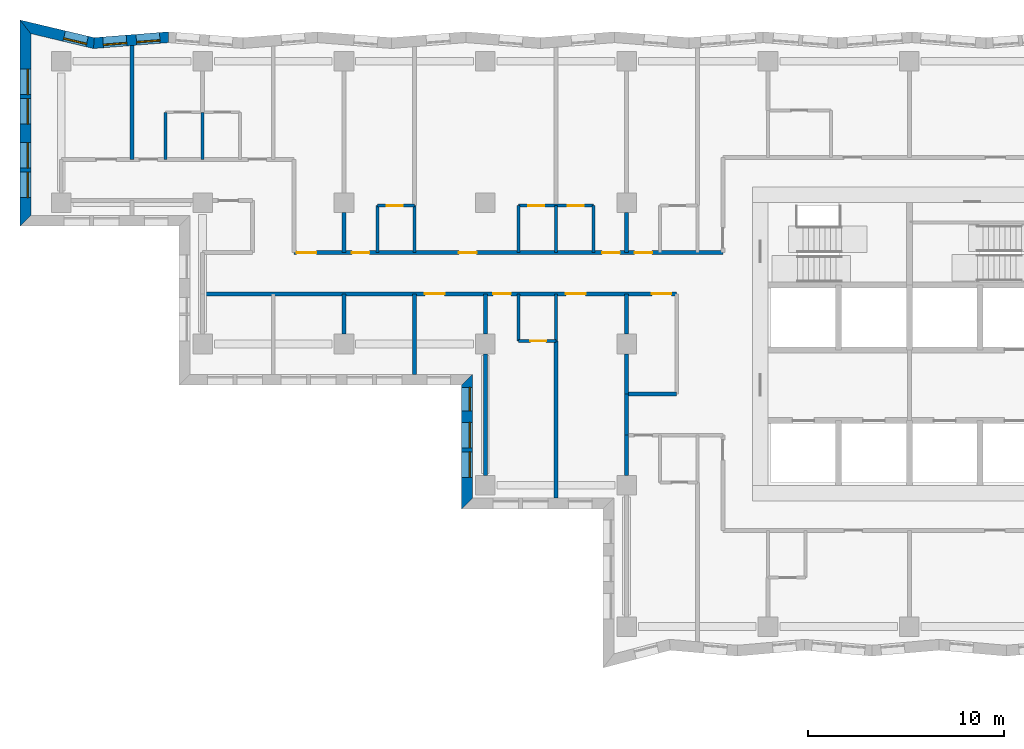
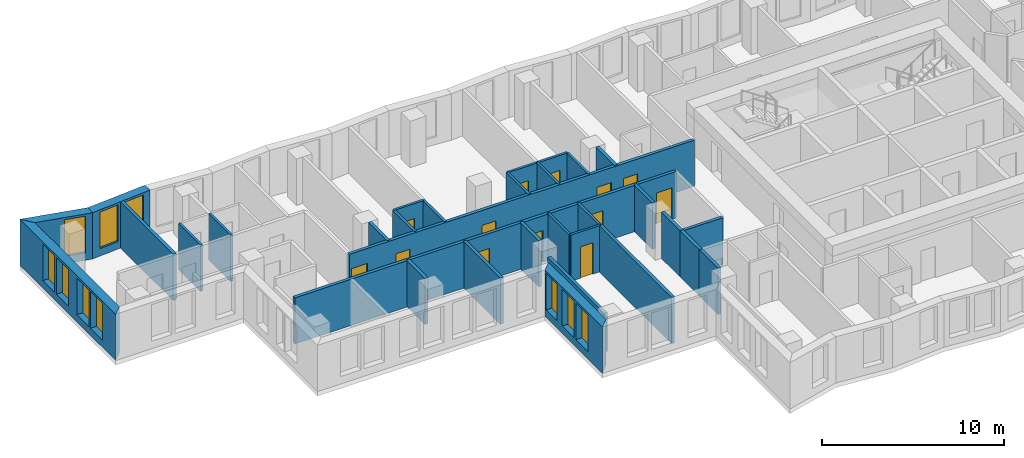
# One storey, part 4 of 12: 31 walls, 13 doors, 10 windows, 23 openings.
"""IFC4 building model written with IfcOpenShell, lengths in metres."""

import ifcopenshell
import ifcopenshell.guid

model = None  # the IFC model being written
_history = None  # IfcOwnerHistory: only IFC2X3 demands one
_inside = {}  # id of a spatial element -> (the spatial element, [elements in it])
_under = {}  # id of a project, library or spatial element -> (it, [spatial elements below it])
_declared = {}  # id of a project -> (the project, [libraries it declares])
_typed = {}  # id of a type object -> (the type object, [elements of that type])
_made_of = {}  # id of a material, layer set ... -> (it, [elements and type objects made of it])


def new_model(schema):
    """Start an empty IFC model of exactly this schema.

    Asked for "IFC4X3", IfcOpenShell would pick the latest addendum, in which some entities
    have other attributes; the version numbers below select the first issue.
    IFC2X3 requires an IfcOwnerHistory on every rooted entity: one is made here for all.
    """
    global model, _history
    if schema == "IFC4X3":
        model = ifcopenshell.file(schema_version=(4, 3, 0, 0))
    else:
        model = ifcopenshell.file(schema=schema)
    _inside.clear()
    _under.clear()
    _declared.clear()
    _typed.clear()
    _made_of.clear()
    _history = None
    if model.schema == "IFC2X3":
        org = make("IfcOrganization", Name="unknown")
        user = make(
            "IfcPersonAndOrganization",
            ThePerson=make("IfcPerson", FamilyName="unknown"),
            TheOrganization=org,
        )
        app = make(
            "IfcApplication",
            ApplicationDeveloper=org,
            Version="unknown",
            ApplicationFullName="unknown",
            ApplicationIdentifier="unknown",
        )
        _history = make(
            "IfcOwnerHistory",
            OwningUser=user,
            OwningApplication=app,
            ChangeAction="ADDED",
            CreationDate=0,
        )
    return model


def make(cls, **values):
    """One entity of the class cls with the attributes given. An attribute that is None is left unset."""
    return model.create_entity(
        cls, **{name: value for name, value in values.items() if value is not None}
    )


def rooted(cls, **values):
    """An entity with a GlobalId (a new one), such as an element, a storey or a relation."""
    return make(cls, GlobalId=ifcopenshell.guid.new(), OwnerHistory=_history, **values)


def si_unit(unit_type, name, prefix=None):
    """IfcSIUnit, for example si_unit("LENGTHUNIT", "METRE", prefix="MILLI")."""
    return make("IfcSIUnit", UnitType=unit_type, Prefix=prefix, Name=name)


def assignment(units):
    """IfcUnitAssignment: the units of a project."""
    return None if units is None else make("IfcUnitAssignment", Units=units)


def point(xyz):
    """IfcCartesianPoint."""
    return None if xyz is None else make("IfcCartesianPoint", Coordinates=xyz)


def direction(xyz):
    """IfcDirection."""
    return None if xyz is None else make("IfcDirection", DirectionRatios=xyz)


def frame(location, z_axis=None, x_axis=None):
    """IfcAxis2Placement3D, a coordinate frame: its origin and axes. An axis left out is left unset."""
    return make(
        "IfcAxis2Placement3D",
        Location=point(location),
        Axis=direction(z_axis),
        RefDirection=direction(x_axis),
    )


def frame_2d(location, x_axis=None):
    """IfcAxis2Placement2D, a coordinate frame in the plane: its origin and x axis."""
    return make(
        "IfcAxis2Placement2D", Location=point(location), RefDirection=direction(x_axis)
    )


def origin():
    """The frame at (0, 0, 0) with its axes left unset."""
    return frame((0.0, 0.0, 0.0))


def place(relative_to, where):
    """IfcLocalPlacement: puts the frame where relative to a parent placement (None: the world)."""
    return make(
        "IfcLocalPlacement", PlacementRelTo=relative_to, RelativePlacement=where
    )


def context(
    kind, dimensions, precision=None, world=None, true_north=None, identifier=None
):
    """IfcGeometricRepresentationContext, for example the 3D "Model" context."""
    return make(
        "IfcGeometricRepresentationContext",
        ContextIdentifier=identifier,
        ContextType=kind,
        CoordinateSpaceDimension=dimensions,
        Precision=precision,
        WorldCoordinateSystem=world,
        TrueNorth=true_north,
    )


def subcontext(parent, identifier, kind, view, scale=None):
    """IfcGeometricRepresentationSubContext, for example "Body" below "Model"."""
    return make(
        "IfcGeometricRepresentationSubContext",
        ContextIdentifier=identifier,
        ContextType=kind,
        ParentContext=parent,
        TargetScale=scale,
        TargetView=view,
    )


def project(units=None, contexts=None):
    """IfcProject with its units and contexts."""
    return rooted(
        "IfcProject",
        Name="project",
        RepresentationContexts=contexts,
        UnitsInContext=assignment(units),
    )


def spatial(cls, under=None, at=None, **own):
    """A site, building, storey or space (cls), placed at a placement, below another one or the project."""
    s = rooted(cls, ObjectPlacement=at, **own)
    if under is not None:
        _under.setdefault(under.id(), (under, []))[1].append(s)
    return s


def polyline(points):
    """IfcPolyline through the points."""
    return make("IfcPolyline", Points=[point(p) for p in points])


def profile(cls, at=None, kind="AREA", **sizes):
    """A parametric profile (cls). Its sizes go by their IFC names, for example OverallWidth=200.0."""
    return make(cls, ProfileType=kind, Position=at, **sizes)


def rectangle(**sizes):
    """IfcRectangleProfileDef."""
    return profile("IfcRectangleProfileDef", **sizes)


def outline(outer, holes=None, kind="AREA"):
    """IfcArbitraryClosedProfileDef: a profile drawn as a closed curve; with holes, ...WithVoids."""
    if holes is None:
        return make("IfcArbitraryClosedProfileDef", ProfileType=kind, OuterCurve=outer)
    return make(
        "IfcArbitraryProfileDefWithVoids",
        ProfileType=kind,
        OuterCurve=outer,
        InnerCurves=holes,
    )


def extrude(swept, where, along, depth):
    """IfcExtrudedAreaSolid: the profile swept, set in the frame where, extruded along a direction by depth."""
    return make(
        "IfcExtrudedAreaSolid",
        SweptArea=swept,
        Position=where,
        ExtrudedDirection=direction(along),
        Depth=depth,
    )


def shape(context_of_items, identifier, shape_type, items):
    """IfcShapeRepresentation: the items that make up one representation, for example the "Body"."""
    return make(
        "IfcShapeRepresentation",
        ContextOfItems=context_of_items,
        RepresentationIdentifier=identifier,
        RepresentationType=shape_type,
        Items=items,
    )


def material(Name=None, Category=None):
    """IfcMaterial."""
    return make("IfcMaterial", Name=Name, Category=Category)


def layer(
    of_material, thickness, ventilated=None, Name=None, Category=None, Priority=None
):
    """IfcMaterialLayer: one layer of a wall or slab, of a material (None: an air gap)."""
    return make(
        "IfcMaterialLayer",
        Material=of_material,
        LayerThickness=thickness,
        IsVentilated=ventilated,
        Name=Name,
        Category=Category,
        Priority=Priority,
    )


def layer_set(layers, Name=None):
    """IfcMaterialLayerSet."""
    return make("IfcMaterialLayerSet", MaterialLayers=layers, LayerSetName=Name)


def made_of(thing, what):
    """Note that an element or type object is made of a material, layer set ...; save() writes the relation."""
    if what is not None:
        _made_of.setdefault(what.id(), (what, []))[1].append(thing)
    return thing


def type_object(cls, material=None, **own):
    """A type object (cls), such as IfcWallType, which elements share."""
    return made_of(rooted(cls, **own), material)


def element(
    cls,
    number,
    at=None,
    inside=None,
    cuts=None,
    type_object=None,
    material=None,
    context=None,
    identifier="Body",
    shape_type=None,
    held_by="IfcProductDefinitionShape",
    body=None,
    shapes=None,
    **own,
):
    """One element of the class cls, such as IfcWall. Its Tag is "e" and its number.

    at: its placement. inside: the storey or other place that contains it. cuts: it is an
    opening in that element (IfcRelVoidsElement). A single representation is given by context,
    identifier, shape_type and body (its items); several are given by shapes. held_by: the class
    of the entity that holds the representations. save() writes the other relations.
    """
    e = rooted(cls, Tag="e%d" % number, ObjectPlacement=at, **own)
    if body is not None:
        shapes = [shape(context, identifier, shape_type, body)]
    if shapes is not None:
        e.Representation = make(held_by, Representations=shapes)
    if inside is not None:
        _inside.setdefault(inside.id(), (inside, []))[1].append(e)
    if cuts is not None:
        rooted(
            "IfcRelVoidsElement", RelatingBuildingElement=cuts, RelatedOpeningElement=e
        )
    if type_object is not None:
        _typed.setdefault(type_object.id(), (type_object, []))[1].append(e)
    return made_of(e, material)


def fill(opening, filler):
    """IfcRelFillsElement: the door or window that sits in an opening."""
    return rooted(
        "IfcRelFillsElement",
        RelatingOpeningElement=opening,
        RelatedBuildingElement=filler,
    )


def aggregate(whole, parts):
    """IfcRelAggregates: a whole, such as a stair, and the parts it consists of."""
    return rooted("IfcRelAggregates", RelatingObject=whole, RelatedObjects=parts)


def save(model, path):
    """Write the relations noted so far, then the file.

    IfcRelAggregates (storeys below a building ...), IfcRelContainedInSpatialStructure (elements
    in a storey), IfcRelDefinesByType, IfcRelAssociatesMaterial and IfcRelDeclares: one each for
    every whole, place, type object, material and project.
    """
    for whole, parts in _under.values():
        aggregate(whole, parts)
    for where, things in _inside.values():
        rooted(
            "IfcRelContainedInSpatialStructure",
            RelatedElements=things,
            RelatingStructure=where,
        )
    for kind, things in _typed.values():
        rooted("IfcRelDefinesByType", RelatedObjects=things, RelatingType=kind)
    for what, things in _made_of.values():
        rooted("IfcRelAssociatesMaterial", RelatedObjects=things, RelatingMaterial=what)
    for by, libraries in _declared.values():
        rooted("IfcRelDeclares", RelatingContext=by, RelatedDefinitions=libraries)
    model.write(path)


model = new_model("IFC4")

# Units and contexts
model_context = context("Model", 3, precision=1e-05, world=origin(), true_north=direction((0.0, 1.0)))
body_context = subcontext(model_context, "Body", "Model", "MODEL_VIEW")
ifc_project = project(units=[si_unit("LENGTHUNIT", "METRE"), si_unit("AREAUNIT", "SQUARE_METRE"), si_unit("VOLUMEUNIT", "CUBIC_METRE"), si_unit("PLANEANGLEUNIT", "RADIAN"), si_unit("MASSUNIT", "GRAM", prefix="KILO")], contexts=[model_context])

# Site, building, storey
site_placement = place(None, origin())
site = spatial("IfcSite", under=ifc_project, at=site_placement, CompositionType="ELEMENT")
building_placement = place(site_placement, origin())
building = spatial("IfcBuilding", under=site, at=building_placement, Name="Windrow Commons", CompositionType="ELEMENT")
storey_placement = place(building_placement, frame((0.0, 0.0, 81.2)))
storey = spatial("IfcBuildingStorey", under=building, at=storey_placement, Name="L21", CompositionType="ELEMENT", Elevation=81.2)

# Wall, openings, windows
ifc_material_1 = material(Name="Brick masonry, red clay brick", Category="masonry")
ifc_layer_1 = layer(ifc_material_1, 0.55)
ifc_layer_set_1 = layer_set([ifc_layer_1], Name="Brick facade wall 550")
wall_type_1 = type_object("IfcWallType", Name="Brick facade wall 550", PredefinedType="SOLIDWALL", material=ifc_layer_set_1)
wall_1_placement = place(storey_placement, frame((27.0712, 73.2241, 0.0), z_axis=(0.0, 0.0, 1.0), x_axis=(-0.9968745318, -0.0790010628, 0.0)))
wall_1 = element("IfcWall", 1, at=wall_1_placement, inside=storey, type_object=wall_type_1, Name="Brick facade wall L21 35", PredefinedType="SOLIDWALL", context=body_context, shape_type="SweptSolid", body=[
    extrude(outline(polyline([(-0.0218, -0.275), (3.7757, -0.275), (3.8623, 0.275), (0.0218, 0.275), (-0.0218, -0.275)])), origin(), (0.0, 0.0, 1.0), 3.1),
])
opening_1_placement = place(wall_1_placement, frame((0.4494, 0.0, 0.5)))
opening_1 = element("IfcOpeningElement", 2, at=opening_1_placement, cuts=wall_1, Name="Opening W7D", PredefinedType="OPENING", context=body_context, shape_type="SweptSolid", body=[
    extrude(rectangle(XDim=1.2, YDim=2.45, at=frame_2d((0.6, 1.225))), frame((0.0, 0.285, 0.0), z_axis=(0.0, -1.0, 0.0), x_axis=(1.0, 0.0, 0.0)), (0.0, 0.0, 1.0), 0.57),
])
opening_2_placement = place(wall_1_placement, frame((2.1481, 0.0, 0.5)))
opening_2 = element("IfcOpeningElement", 3, at=opening_2_placement, cuts=wall_1, Name="Opening W7D", PredefinedType="OPENING", context=body_context, shape_type="SweptSolid", body=[
    extrude(rectangle(XDim=1.2, YDim=2.45, at=frame_2d((0.6, 1.225))), frame((0.0, 0.285, 0.0), z_axis=(0.0, -1.0, 0.0), x_axis=(1.0, 0.0, 0.0)), (0.0, 0.0, 1.0), 0.57),
])
ifc_material_2 = material(Name="Clear float glass in anodised aluminium frame", Category="aluminium")
window_type_1 = type_object("IfcWindowType", Name="Window W7 notch 1200x2450", PartitioningType="SINGLE_PANEL", PredefinedType="WINDOW", material=ifc_material_2)
window_1_placement = place(opening_1_placement, origin())
window_1 = element("IfcWindow", 4, at=window_1_placement, inside=storey, type_object=window_type_1, Name="Window L21 35.1", OverallHeight=2.45, OverallWidth=1.2, PartitioningType="SINGLE_PANEL", PredefinedType="WINDOW", context=body_context, shape_type="SweptSolid", body=[
    extrude(rectangle(XDim=1.2, YDim=2.45, at=frame_2d((0.6, 1.225))), frame((0.0, 0.155, 0.0), z_axis=(0.0, -1.0, 0.0), x_axis=(1.0, 0.0, 0.0)), (0.0, 0.0, 1.0), 0.06),
])
fill(opening_1, window_1)
window_2_placement = place(opening_2_placement, origin())
window_2 = element("IfcWindow", 5, at=window_2_placement, inside=storey, type_object=window_type_1, Name="Window L21 35.2", OverallHeight=2.45, OverallWidth=1.2, PartitioningType="SINGLE_PANEL", PredefinedType="WINDOW", context=body_context, shape_type="SweptSolid", body=[
    extrude(rectangle(XDim=1.2, YDim=2.45, at=frame_2d((0.6, 1.225))), frame((0.0, 0.155, 0.0), z_axis=(0.0, -1.0, 0.0), x_axis=(1.0, 0.0, 0.0)), (0.0, 0.0, 1.0), 0.06),
])
fill(opening_2, window_2)

# Wall, opening, window
wall_2_placement = place(storey_placement, frame((23.2642, 72.9224, 0.0), z_axis=(0.0, 0.0, 1.0), x_axis=(-0.9728791637, 0.231313927, 0.0)))
wall_2 = element("IfcWall", 6, at=wall_2_placement, inside=storey, type_object=wall_type_1, Name="Brick facade wall L21 36", PredefinedType="SOLIDWALL", context=body_context, shape_type="SweptSolid", body=[
    extrude(outline(polyline([(0.0433, -0.275), (3.9345, -0.275), (3.2384, 0.275), (-0.0433, 0.275), (0.0433, -0.275)])), origin(), (0.0, 0.0, 1.0), 3.1),
])
opening_3_placement = place(wall_2_placement, frame((0.3553, 0.0, 0.5)))
opening_3 = element("IfcOpeningElement", 7, at=opening_3_placement, cuts=wall_2, Name="Opening W7D", PredefinedType="OPENING", context=body_context, shape_type="SweptSolid", body=[
    extrude(rectangle(XDim=1.2, YDim=2.45, at=frame_2d((0.6, 1.225))), frame((0.0, 0.285, 0.0), z_axis=(0.0, -1.0, 0.0), x_axis=(1.0, 0.0, 0.0)), (0.0, 0.0, 1.0), 0.57),
])
window_3_placement = place(opening_3_placement, origin())
window_3 = element("IfcWindow", 8, at=window_3_placement, inside=storey, type_object=window_type_1, Name="Window L21 36.1", OverallHeight=2.45, OverallWidth=1.2, PartitioningType="SINGLE_PANEL", PredefinedType="WINDOW", context=body_context, shape_type="SweptSolid", body=[
    extrude(rectangle(XDim=1.2, YDim=2.45, at=frame_2d((0.6, 1.225))), frame((0.0, 0.155, 0.0), z_axis=(0.0, -1.0, 0.0), x_axis=(1.0, 0.0, 0.0)), (0.0, 0.0, 1.0), 0.06),
])
fill(opening_3, window_3)

# Wall, openings, windows
wall_3_placement = place(storey_placement, frame((19.775, 73.752, 0.0), z_axis=(0.0, 0.0, 1.0), x_axis=(0.0, -1.0, 0.0)))
wall_3 = element("IfcWall", 9, at=wall_3_placement, inside=storey, type_object=wall_type_1, Name="Brick facade wall L21 37", PredefinedType="SOLIDWALL", context=body_context, shape_type="SweptSolid", body=[
    extrude(outline(polyline([(-0.348, -0.275), (10.152, -0.275), (9.602, 0.275), (0.348, 0.275), (-0.348, -0.275)])), origin(), (0.0, 0.0, 1.0), 3.1),
])
opening_4_placement = place(wall_3_placement, frame((2.152, 0.0, 0.5)))
opening_4 = element("IfcOpeningElement", 10, at=opening_4_placement, cuts=wall_3, Name="Opening W1P", PredefinedType="OPENING", context=body_context, shape_type="SweptSolid", body=[
    extrude(rectangle(XDim=1.3, YDim=2.45, at=frame_2d((0.65, 1.225))), frame((0.0, 0.285, 0.0), z_axis=(0.0, -1.0, 0.0), x_axis=(1.0, 0.0, 0.0)), (0.0, 0.0, 1.0), 0.57),
])
opening_5_placement = place(wall_3_placement, frame((3.652, 0.0, 0.5)))
opening_5 = element("IfcOpeningElement", 11, at=opening_5_placement, cuts=wall_3, Name="Opening W1P", PredefinedType="OPENING", context=body_context, shape_type="SweptSolid", body=[
    extrude(rectangle(XDim=1.3, YDim=2.45, at=frame_2d((0.65, 1.225))), frame((0.0, 0.285, 0.0), z_axis=(0.0, -1.0, 0.0), x_axis=(1.0, 0.0, 0.0)), (0.0, 0.0, 1.0), 0.57),
])
opening_6_placement = place(wall_3_placement, frame((5.902, 0.0, 0.5)))
opening_6 = element("IfcOpeningElement", 12, at=opening_6_placement, cuts=wall_3, Name="Opening W1P", PredefinedType="OPENING", context=body_context, shape_type="SweptSolid", body=[
    extrude(rectangle(XDim=1.3, YDim=2.45, at=frame_2d((0.65, 1.225))), frame((0.0, 0.285, 0.0), z_axis=(0.0, -1.0, 0.0), x_axis=(1.0, 0.0, 0.0)), (0.0, 0.0, 1.0), 0.57),
])
opening_7_placement = place(wall_3_placement, frame((7.402, 0.0, 0.5)))
opening_7 = element("IfcOpeningElement", 13, at=opening_7_placement, cuts=wall_3, Name="Opening W1P", PredefinedType="OPENING", context=body_context, shape_type="SweptSolid", body=[
    extrude(rectangle(XDim=1.3, YDim=2.45, at=frame_2d((0.65, 1.225))), frame((0.0, 0.285, 0.0), z_axis=(0.0, -1.0, 0.0), x_axis=(1.0, 0.0, 0.0)), (0.0, 0.0, 1.0), 0.57),
])
ifc_material_3 = material(Name="Clear float glass in anodised aluminium frame", Category="aluminium")
window_type_2 = type_object("IfcWindowType", Name="Window W1P pair 1300x2450", PartitioningType="SINGLE_PANEL", PredefinedType="WINDOW", material=ifc_material_3)
window_4_placement = place(opening_4_placement, origin())
window_4 = element("IfcWindow", 14, at=window_4_placement, inside=storey, type_object=window_type_2, Name="Window L21 37.1A", OverallHeight=2.45, OverallWidth=1.3, PartitioningType="SINGLE_PANEL", PredefinedType="WINDOW", context=body_context, shape_type="SweptSolid", body=[
    extrude(rectangle(XDim=1.3, YDim=2.45, at=frame_2d((0.65, 1.225))), frame((0.0, 0.155, 0.0), z_axis=(0.0, -1.0, 0.0), x_axis=(1.0, 0.0, 0.0)), (0.0, 0.0, 1.0), 0.06),
])
fill(opening_4, window_4)
window_5_placement = place(opening_5_placement, origin())
window_5 = element("IfcWindow", 15, at=window_5_placement, inside=storey, type_object=window_type_2, Name="Window L21 37.1B", OverallHeight=2.45, OverallWidth=1.3, PartitioningType="SINGLE_PANEL", PredefinedType="WINDOW", context=body_context, shape_type="SweptSolid", body=[
    extrude(rectangle(XDim=1.3, YDim=2.45, at=frame_2d((0.65, 1.225))), frame((0.0, 0.155, 0.0), z_axis=(0.0, -1.0, 0.0), x_axis=(1.0, 0.0, 0.0)), (0.0, 0.0, 1.0), 0.06),
])
fill(opening_5, window_5)
window_6_placement = place(opening_6_placement, origin())
window_6 = element("IfcWindow", 16, at=window_6_placement, inside=storey, type_object=window_type_2, Name="Window L21 37.2A", OverallHeight=2.45, OverallWidth=1.3, PartitioningType="SINGLE_PANEL", PredefinedType="WINDOW", context=body_context, shape_type="SweptSolid", body=[
    extrude(rectangle(XDim=1.3, YDim=2.45, at=frame_2d((0.65, 1.225))), frame((0.0, 0.155, 0.0), z_axis=(0.0, -1.0, 0.0), x_axis=(1.0, 0.0, 0.0)), (0.0, 0.0, 1.0), 0.06),
])
fill(opening_6, window_6)
window_7_placement = place(opening_7_placement, origin())
window_7 = element("IfcWindow", 17, at=window_7_placement, inside=storey, type_object=window_type_2, Name="Window L21 37.2B", OverallHeight=2.45, OverallWidth=1.3, PartitioningType="SINGLE_PANEL", PredefinedType="WINDOW", context=body_context, shape_type="SweptSolid", body=[
    extrude(rectangle(XDim=1.3, YDim=2.45, at=frame_2d((0.65, 1.225))), frame((0.0, 0.155, 0.0), z_axis=(0.0, -1.0, 0.0), x_axis=(1.0, 0.0, 0.0)), (0.0, 0.0, 1.0), 0.06),
])
fill(opening_7, window_7)

wall_4_placement = place(storey_placement, frame((42.275, 55.775, 0.0), z_axis=(0.0, 0.0, 1.0), x_axis=(0.0, -1.0, 0.0)))
wall_4 = element("IfcWall", 18, at=wall_4_placement, inside=storey, type_object=wall_type_1, Name="Brick facade wall L21 41", PredefinedType="SOLIDWALL", context=body_context, shape_type="SweptSolid", body=[
    extrude(outline(polyline([(0.275, -0.275), (6.575, -0.275), (6.025, 0.275), (-0.275, 0.275), (0.275, -0.275)])), origin(), (0.0, 0.0, 1.0), 3.1),
])
opening_8_placement = place(wall_4_placement, frame((2.175, 0.0, 0.5)))
opening_8 = element("IfcOpeningElement", 19, at=opening_8_placement, cuts=wall_4, Name="Opening W1P", PredefinedType="OPENING", context=body_context, shape_type="SweptSolid", body=[
    extrude(rectangle(XDim=1.3, YDim=2.45, at=frame_2d((0.65, 1.225))), frame((0.0, 0.285, 0.0), z_axis=(0.0, -1.0, 0.0), x_axis=(1.0, 0.0, 0.0)), (0.0, 0.0, 1.0), 0.57),
])
opening_9_placement = place(wall_4_placement, frame((3.675, 0.0, 0.5)))
opening_9 = element("IfcOpeningElement", 20, at=opening_9_placement, cuts=wall_4, Name="Opening W1P", PredefinedType="OPENING", context=body_context, shape_type="SweptSolid", body=[
    extrude(rectangle(XDim=1.3, YDim=2.45, at=frame_2d((0.65, 1.225))), frame((0.0, 0.285, 0.0), z_axis=(0.0, -1.0, 0.0), x_axis=(1.0, 0.0, 0.0)), (0.0, 0.0, 1.0), 0.57),
])
opening_10_placement = place(wall_4_placement, frame((0.3875, 0.0, 0.5)))
opening_10 = element("IfcOpeningElement", 21, at=opening_10_placement, cuts=wall_4, Name="Opening W7D", PredefinedType="OPENING", context=body_context, shape_type="SweptSolid", body=[
    extrude(rectangle(XDim=1.2, YDim=2.45, at=frame_2d((0.6, 1.225))), frame((0.0, 0.285, 0.0), z_axis=(0.0, -1.0, 0.0), x_axis=(1.0, 0.0, 0.0)), (0.0, 0.0, 1.0), 0.57),
])
window_8_placement = place(opening_8_placement, origin())
window_8 = element("IfcWindow", 22, at=window_8_placement, inside=storey, type_object=window_type_2, Name="Window L21 41.1A", OverallHeight=2.45, OverallWidth=1.3, PartitioningType="SINGLE_PANEL", PredefinedType="WINDOW", context=body_context, shape_type="SweptSolid", body=[
    extrude(rectangle(XDim=1.3, YDim=2.45, at=frame_2d((0.65, 1.225))), frame((0.0, 0.155, 0.0), z_axis=(0.0, -1.0, 0.0), x_axis=(1.0, 0.0, 0.0)), (0.0, 0.0, 1.0), 0.06),
])
fill(opening_8, window_8)
window_9_placement = place(opening_9_placement, origin())
window_9 = element("IfcWindow", 23, at=window_9_placement, inside=storey, type_object=window_type_2, Name="Window L21 41.1B", OverallHeight=2.45, OverallWidth=1.3, PartitioningType="SINGLE_PANEL", PredefinedType="WINDOW", context=body_context, shape_type="SweptSolid", body=[
    extrude(rectangle(XDim=1.3, YDim=2.45, at=frame_2d((0.65, 1.225))), frame((0.0, 0.155, 0.0), z_axis=(0.0, -1.0, 0.0), x_axis=(1.0, 0.0, 0.0)), (0.0, 0.0, 1.0), 0.06),
])
fill(opening_9, window_9)
window_10_placement = place(opening_10_placement, origin())
window_10 = element("IfcWindow", 24, at=window_10_placement, inside=storey, type_object=window_type_1, Name="Window L21 41.2", OverallHeight=2.45, OverallWidth=1.2, PartitioningType="SINGLE_PANEL", PredefinedType="WINDOW", context=body_context, shape_type="SweptSolid", body=[
    extrude(rectangle(XDim=1.2, YDim=2.45, at=frame_2d((0.6, 1.225))), frame((0.0, 0.155, 0.0), z_axis=(0.0, -1.0, 0.0), x_axis=(1.0, 0.0, 0.0)), (0.0, 0.0, 1.0), 0.06),
])
fill(opening_10, window_10)

# Wall, openings, doors
ifc_material_4 = material(Name="Blockwork partition", Category="masonry")
ifc_layer_2 = layer(ifc_material_4, 0.2)
ifc_layer_set_2 = layer_set([ifc_layer_2], Name="IW-CORRIDOR-200")
wall_type_2 = type_object("IfcWallType", Name="IW-CORRIDOR-200", PredefinedType="PARTITIONING", material=ifc_layer_set_2)
wall_5_placement = place(storey_placement, frame((28.8, 60.15, 0.0), z_axis=(0.0, 0.0, 1.0), x_axis=(1.0, 0.0, 0.0)))
wall_5 = element("IfcWall", 25, at=wall_5_placement, inside=storey, type_object=wall_type_2, Name="W-L21-W000", PredefinedType="PARTITIONING", context=body_context, shape_type="SweptSolid", body=[
    extrude(rectangle(XDim=24.15, YDim=0.2, at=frame_2d((12.075, 0.0))), origin(), (0.0, 0.0, 1.0), 3.1),
])
opening_11_placement = place(wall_5_placement, frame((11.325, 0.0, 0.0)))
opening_11 = element("IfcOpeningElement", 26, at=opening_11_placement, cuts=wall_5, Name="Opening D310F", PredefinedType="OPENING", context=body_context, shape_type="SweptSolid", body=[
    extrude(rectangle(XDim=1.0, YDim=2.1, at=frame_2d((0.5, 1.05))), frame((0.0, 0.11, 0.0), z_axis=(0.0, -1.0, 0.0), x_axis=(1.0, 0.0, 0.0)), (0.0, 0.0, 1.0), 0.22),
])
opening_12_placement = place(wall_5_placement, frame((14.8, 0.0, 0.0)))
opening_12 = element("IfcOpeningElement", 27, at=opening_12_placement, cuts=wall_5, Name="Opening D109S", PredefinedType="OPENING", context=body_context, shape_type="SweptSolid", body=[
    extrude(rectangle(XDim=0.9, YDim=2.1, at=frame_2d((0.45, 1.05))), frame((0.0, 0.11, 0.0), z_axis=(0.0, -1.0, 0.0), x_axis=(1.0, 0.0, 0.0)), (0.0, 0.0, 1.0), 0.22),
])
opening_13_placement = place(wall_5_placement, frame((18.5075, 0.0, 0.0)))
opening_13 = element("IfcOpeningElement", 28, at=opening_13_placement, cuts=wall_5, Name="Opening D310F", PredefinedType="OPENING", context=body_context, shape_type="SweptSolid", body=[
    extrude(rectangle(XDim=1.0, YDim=2.1, at=frame_2d((0.5, 1.05))), frame((0.0, 0.11, 0.0), z_axis=(0.0, -1.0, 0.0), x_axis=(1.0, 0.0, 0.0)), (0.0, 0.0, 1.0), 0.22),
])
opening_14_placement = place(wall_5_placement, frame((22.8824, 0.0, 0.0)))
opening_14 = element("IfcOpeningElement", 29, at=opening_14_placement, cuts=wall_5, Name="Opening D310F", PredefinedType="OPENING", context=body_context, shape_type="SweptSolid", body=[
    extrude(rectangle(XDim=1.0, YDim=2.1, at=frame_2d((0.5, 1.05))), frame((0.0, 0.11, 0.0), z_axis=(0.0, -1.0, 0.0), x_axis=(1.0, 0.0, 0.0)), (0.0, 0.0, 1.0), 0.22),
])
ifc_material_5 = material(Name="Timber door leaf", Category="wood")
door_type_1 = type_object("IfcDoorType", Name="DT-AMENITY-1000", OperationType="SINGLE_SWING_LEFT", PredefinedType="DOOR", material=ifc_material_5)
door_1_placement = place(opening_11_placement, origin())
door_1 = element("IfcDoor", 30, at=door_1_placement, inside=storey, type_object=door_type_1, Name="D-L21-D025", OperationType="SINGLE_SWING_RIGHT", OverallHeight=2.1, OverallWidth=1.0, PredefinedType="DOOR", context=body_context, shape_type="SweptSolid", body=[
    extrude(rectangle(XDim=1.0, YDim=2.1, at=frame_2d((0.5, 1.05))), frame((0.0, 0.025, 0.0), z_axis=(0.0, -1.0, 0.0), x_axis=(1.0, 0.0, 0.0)), (0.0, 0.0, 1.0), 0.05),
])
fill(opening_11, door_1)
door_2_placement = place(opening_13_placement, origin())
door_2 = element("IfcDoor", 31, at=door_2_placement, inside=storey, type_object=door_type_1, Name="D-L21-D028", OperationType="SINGLE_SWING_RIGHT", OverallHeight=2.1, OverallWidth=1.0, PredefinedType="DOOR", context=body_context, shape_type="SweptSolid", body=[
    extrude(rectangle(XDim=1.0, YDim=2.1, at=frame_2d((0.5, 1.05))), frame((0.0, 0.025, 0.0), z_axis=(0.0, -1.0, 0.0), x_axis=(1.0, 0.0, 0.0)), (0.0, 0.0, 1.0), 0.05),
])
fill(opening_13, door_2)
door_3_placement = place(opening_14_placement, origin())
door_3 = element("IfcDoor", 32, at=door_3_placement, inside=storey, type_object=door_type_1, Name="D-L21-D029", OperationType="SINGLE_SWING_LEFT", OverallHeight=2.1, OverallWidth=1.0, PredefinedType="DOOR", context=body_context, shape_type="SweptSolid", body=[
    extrude(rectangle(XDim=1.0, YDim=2.1, at=frame_2d((0.5, 1.05))), frame((0.0, 0.025, 0.0), z_axis=(0.0, -1.0, 0.0), x_axis=(1.0, 0.0, 0.0)), (0.0, 0.0, 1.0), 0.05),
])
fill(opening_14, door_3)
ifc_material_6 = material(Name="Timber door leaf", Category="wood")
door_type_2 = type_object("IfcDoorType", Name="DT-BEDROOM-900", OperationType="SINGLE_SWING_LEFT", PredefinedType="DOOR", material=ifc_material_6)
door_4_placement = place(opening_12_placement, origin())
door_4 = element("IfcDoor", 33, at=door_4_placement, inside=storey, type_object=door_type_2, Name="D-L21-D026", OperationType="SINGLE_SWING_LEFT", OverallHeight=2.1, OverallWidth=0.9, PredefinedType="DOOR", context=body_context, shape_type="SweptSolid", body=[
    extrude(rectangle(XDim=0.9, YDim=2.1, at=frame_2d((0.45, 1.05))), frame((0.0, 0.025, 0.0), z_axis=(0.0, -1.0, 0.0), x_axis=(1.0, 0.0, 0.0)), (0.0, 0.0, 1.0), 0.05),
])
fill(opening_12, door_4)

wall_6_placement = place(storey_placement, frame((33.45, 62.25, 0.0), z_axis=(0.0, 0.0, 1.0), x_axis=(1.0, 0.0, 0.0)))
wall_6 = element("IfcWall", 34, at=wall_6_placement, inside=storey, type_object=wall_type_2, Name="W-L21-W001", PredefinedType="PARTITIONING", context=body_context, shape_type="SweptSolid", body=[
    extrude(rectangle(XDim=21.85, YDim=0.2, at=frame_2d((10.925, 0.0))), origin(), (0.0, 0.0, 1.0), 3.1),
])
opening_15_placement = place(wall_6_placement, frame((0.1438, 0.0, 0.0)))
opening_15 = element("IfcOpeningElement", 35, at=opening_15_placement, cuts=wall_6, Name="Opening D310F", PredefinedType="OPENING", context=body_context, shape_type="SweptSolid", body=[
    extrude(rectangle(XDim=1.0, YDim=2.1, at=frame_2d((0.5, 1.05))), frame((0.0, 0.11, 0.0), z_axis=(0.0, -1.0, 0.0), x_axis=(1.0, 0.0, 0.0)), (0.0, 0.0, 1.0), 0.22),
])
opening_16_placement = place(wall_6_placement, frame((2.95, 0.0, 0.0)))
opening_16 = element("IfcOpeningElement", 36, at=opening_16_placement, cuts=wall_6, Name="Opening D109S", PredefinedType="OPENING", context=body_context, shape_type="SweptSolid", body=[
    extrude(rectangle(XDim=0.9, YDim=2.1, at=frame_2d((0.45, 1.05))), frame((0.0, 0.11, 0.0), z_axis=(0.0, -1.0, 0.0), x_axis=(1.0, 0.0, 0.0)), (0.0, 0.0, 1.0), 0.22),
])
opening_17_placement = place(wall_6_placement, frame((8.4066, 0.0, 0.0)))
opening_17 = element("IfcOpeningElement", 37, at=opening_17_placement, cuts=wall_6, Name="Opening D109F", PredefinedType="OPENING", context=body_context, shape_type="SweptSolid", body=[
    extrude(rectangle(XDim=0.9, YDim=2.1, at=frame_2d((0.45, 1.05))), frame((0.0, 0.11, 0.0), z_axis=(0.0, -1.0, 0.0), x_axis=(1.0, 0.0, 0.0)), (0.0, 0.0, 1.0), 0.22),
])
opening_18_placement = place(wall_6_placement, frame((15.7, 0.0, 0.0)))
opening_18 = element("IfcOpeningElement", 38, at=opening_18_placement, cuts=wall_6, Name="Opening D109S", PredefinedType="OPENING", context=body_context, shape_type="SweptSolid", body=[
    extrude(rectangle(XDim=0.9, YDim=2.1, at=frame_2d((0.45, 1.05))), frame((0.0, 0.11, 0.0), z_axis=(0.0, -1.0, 0.0), x_axis=(1.0, 0.0, 0.0)), (0.0, 0.0, 1.0), 0.22),
])
opening_19_placement = place(wall_6_placement, frame((17.35, 0.0, 0.0)))
opening_19 = element("IfcOpeningElement", 39, at=opening_19_placement, cuts=wall_6, Name="Opening D109S", PredefinedType="OPENING", context=body_context, shape_type="SweptSolid", body=[
    extrude(rectangle(XDim=0.9, YDim=2.1, at=frame_2d((0.45, 1.05))), frame((0.0, 0.11, 0.0), z_axis=(0.0, -1.0, 0.0), x_axis=(1.0, 0.0, 0.0)), (0.0, 0.0, 1.0), 0.22),
])
door_5_placement = place(opening_15_placement, origin())
door_5 = element("IfcDoor", 40, at=door_5_placement, inside=storey, type_object=door_type_1, Name="D-L21-D012", OperationType="SINGLE_SWING_LEFT", OverallHeight=2.1, OverallWidth=1.0, PredefinedType="DOOR", context=body_context, shape_type="SweptSolid", body=[
    extrude(rectangle(XDim=1.0, YDim=2.1, at=frame_2d((0.5, 1.05))), frame((0.0, 0.025, 0.0), z_axis=(0.0, -1.0, 0.0), x_axis=(1.0, 0.0, 0.0)), (0.0, 0.0, 1.0), 0.05),
])
fill(opening_15, door_5)
door_6_placement = place(opening_16_placement, origin())
door_6 = element("IfcDoor", 41, at=door_6_placement, inside=storey, type_object=door_type_2, Name="D-L21-D013", OperationType="SINGLE_SWING_RIGHT", OverallHeight=2.1, OverallWidth=0.9, PredefinedType="DOOR", context=body_context, shape_type="SweptSolid", body=[
    extrude(rectangle(XDim=0.9, YDim=2.1, at=frame_2d((0.45, 1.05))), frame((0.0, 0.025, 0.0), z_axis=(0.0, -1.0, 0.0), x_axis=(1.0, 0.0, 0.0)), (0.0, 0.0, 1.0), 0.05),
])
fill(opening_16, door_6)
door_7_placement = place(opening_17_placement, origin())
door_7 = element("IfcDoor", 42, at=door_7_placement, inside=storey, type_object=door_type_2, Name="D-L21-D015", OperationType="SINGLE_SWING_LEFT", OverallHeight=2.1, OverallWidth=0.9, PredefinedType="DOOR", context=body_context, shape_type="SweptSolid", body=[
    extrude(rectangle(XDim=0.9, YDim=2.1, at=frame_2d((0.45, 1.05))), frame((0.0, 0.025, 0.0), z_axis=(0.0, -1.0, 0.0), x_axis=(1.0, 0.0, 0.0)), (0.0, 0.0, 1.0), 0.05),
])
fill(opening_17, door_7)
door_8_placement = place(opening_18_placement, origin())
door_8 = element("IfcDoor", 43, at=door_8_placement, inside=storey, type_object=door_type_2, Name="D-L21-D017", OperationType="SINGLE_SWING_LEFT", OverallHeight=2.1, OverallWidth=0.9, PredefinedType="DOOR", context=body_context, shape_type="SweptSolid", body=[
    extrude(rectangle(XDim=0.9, YDim=2.1, at=frame_2d((0.45, 1.05))), frame((0.0, 0.025, 0.0), z_axis=(0.0, -1.0, 0.0), x_axis=(1.0, 0.0, 0.0)), (0.0, 0.0, 1.0), 0.05),
])
fill(opening_18, door_8)
door_9_placement = place(opening_19_placement, origin())
door_9 = element("IfcDoor", 44, at=door_9_placement, inside=storey, type_object=door_type_2, Name="D-L21-D019", OperationType="SINGLE_SWING_RIGHT", OverallHeight=2.1, OverallWidth=0.9, PredefinedType="DOOR", context=body_context, shape_type="SweptSolid", body=[
    extrude(rectangle(XDim=0.9, YDim=2.1, at=frame_2d((0.45, 1.05))), frame((0.0, 0.025, 0.0), z_axis=(0.0, -1.0, 0.0), x_axis=(1.0, 0.0, 0.0)), (0.0, 0.0, 1.0), 0.05),
])
fill(opening_19, door_9)

# Walls
wall_7_placement = place(storey_placement, frame((50.4, 55.05, 0.0), z_axis=(0.0, 0.0, 1.0), x_axis=(1.0, 0.0, 0.0)))
element("IfcWall", 45, at=wall_7_placement, inside=storey, type_object=wall_type_2, Name="W-L21-W067", PredefinedType="PARTITIONING", context=body_context, shape_type="SweptSolid", body=[
    extrude(rectangle(XDim=2.55, YDim=0.2, at=frame_2d((1.275, 0.0))), origin(), (0.0, 0.0, 1.0), 3.1),
])
wall_8_placement = place(storey_placement, frame((50.4, 52.95, 0.0), z_axis=(0.0, 0.0, 1.0), x_axis=(0.0, 1.0, 0.0)))
element("IfcWall", 46, at=wall_8_placement, inside=storey, type_object=wall_type_2, Name="W-L21-W105", PredefinedType="PARTITIONING", context=body_context, shape_type="SweptSolid", body=[
    extrude(rectangle(XDim=2.1, YDim=0.2, at=frame_2d((1.05, 0.0))), origin(), (0.0, 0.0, 1.0), 3.1),
])

# Wall, openings, doors
ifc_material_7 = material(Name="Blockwork partition", Category="masonry")
ifc_layer_3 = layer(ifc_material_7, 0.15)
ifc_layer_set_3 = layer_set([ifc_layer_3], Name="IW-ENSUITE-150")
wall_type_3 = type_object("IfcWallType", Name="IW-ENSUITE-150", PredefinedType="PARTITIONING", material=ifc_layer_set_3)
wall_9_placement = place(storey_placement, frame((44.9, 64.65, 0.0), z_axis=(0.0, 0.0, 1.0), x_axis=(1.0, 0.0, 0.0)))
wall_9 = element("IfcWall", 47, at=wall_9_placement, inside=storey, type_object=wall_type_3, Name="W-L21-W055", PredefinedType="PARTITIONING", context=body_context, shape_type="SweptSolid", body=[
    extrude(rectangle(XDim=3.8, YDim=0.15, at=frame_2d((1.9, 0.0))), origin(), (0.0, 0.0, 1.0), 3.1),
])
opening_20_placement = place(wall_9_placement, frame((0.4931, 0.0, 0.0)))
opening_20 = element("IfcOpeningElement", 48, at=opening_20_placement, cuts=wall_9, Name="Opening D208N", PredefinedType="OPENING", context=body_context, shape_type="SweptSolid", body=[
    extrude(rectangle(XDim=0.8, YDim=2.1, at=frame_2d((0.4, 1.05))), frame((0.0, 0.085, 0.0), z_axis=(0.0, -1.0, 0.0), x_axis=(1.0, 0.0, 0.0)), (0.0, 0.0, 1.0), 0.17),
])
opening_21_placement = place(wall_9_placement, frame((2.5069, 0.0, 0.0)))
opening_21 = element("IfcOpeningElement", 49, at=opening_21_placement, cuts=wall_9, Name="Opening D208N", PredefinedType="OPENING", context=body_context, shape_type="SweptSolid", body=[
    extrude(rectangle(XDim=0.8, YDim=2.1, at=frame_2d((0.4, 1.05))), frame((0.0, 0.085, 0.0), z_axis=(0.0, -1.0, 0.0), x_axis=(1.0, 0.0, 0.0)), (0.0, 0.0, 1.0), 0.17),
])
ifc_material_8 = material(Name="Timber door leaf", Category="wood")
door_type_3 = type_object("IfcDoorType", Name="DT-ENSUITE-800", OperationType="SINGLE_SWING_LEFT", PredefinedType="DOOR", material=ifc_material_8)
door_10_placement = place(opening_20_placement, origin())
door_10 = element("IfcDoor", 50, at=door_10_placement, inside=storey, type_object=door_type_3, Name="D-L21-D016", OperationType="SINGLE_SWING_RIGHT", OverallHeight=2.1, OverallWidth=0.8, PredefinedType="DOOR", context=body_context, shape_type="SweptSolid", body=[
    extrude(rectangle(XDim=0.8, YDim=2.1, at=frame_2d((0.4, 1.05))), frame((0.0, 0.025, 0.0), z_axis=(0.0, -1.0, 0.0), x_axis=(1.0, 0.0, 0.0)), (0.0, 0.0, 1.0), 0.05),
])
fill(opening_20, door_10)
door_11_placement = place(opening_21_placement, origin())
door_11 = element("IfcDoor", 51, at=door_11_placement, inside=storey, type_object=door_type_3, Name="D-L21-D018", OperationType="SINGLE_SWING_RIGHT", OverallHeight=2.1, OverallWidth=0.8, PredefinedType="DOOR", context=body_context, shape_type="SweptSolid", body=[
    extrude(rectangle(XDim=0.8, YDim=2.1, at=frame_2d((0.4, 1.05))), frame((0.0, 0.025, 0.0), z_axis=(0.0, -1.0, 0.0), x_axis=(1.0, 0.0, 0.0)), (0.0, 0.0, 1.0), 0.05),
])
fill(opening_21, door_11)

# Walls
for number, where, z_axis, x_axis, name in (
    (52, (26.9, 67.0, 0.0), (0.0, 0.0, 1.0), (0.0, 1.0, 0.0), "W-L21-W071"),
    (53, (28.8, 67.0, 0.0), (0.0, 0.0, 1.0), (0.0, 1.0, 0.0), "W-L21-W072"),
    (54, (37.7, 62.25, 0.0), (0.0, 0.0, 1.0), (0.0, 1.0, 0.0), "W-L21-W074"),
    (55, (39.6, 62.25, 0.0), (0.0, 0.0, 1.0), (0.0, 1.0, 0.0), "W-L21-W075"),
    (56, (44.9, 62.25, 0.0), (0.0, 0.0, 1.0), (0.0, 1.0, 0.0), "W-L21-W076"),
    (57, (46.8, 62.25, 0.0), (0.0, 0.0, 1.0), (0.0, 1.0, 0.0), "W-L21-W077"),
    (58, (48.7, 62.25, 0.0), (0.0, 0.0, 1.0), (0.0, 1.0, 0.0), "W-L21-W078"),
    (59, (44.9, 57.75, 0.0), (0.0, 0.0, 1.0), (0.0, 1.0, 0.0), "W-L21-W087"),
    (60, (46.8, 57.75, 0.0), (0.0, 0.0, 1.0), (0.0, 1.0, 0.0), "W-L21-W088"),
):
    element("IfcWall", number, at=place(storey_placement, frame(where, z_axis=z_axis, x_axis=x_axis)), inside=storey, type_object=wall_type_3, Name=name, PredefinedType="PARTITIONING", context=body_context, shape_type="SweptSolid", body=[
        extrude(rectangle(XDim=2.4, YDim=0.15, at=frame_2d((1.2, 0.0))), origin(), (0.0, 0.0, 1.0), 3.1),
    ])

# Wall, opening, door
wall_10_placement = place(storey_placement, frame((37.7, 64.65, 0.0), z_axis=(0.0, 0.0, 1.0), x_axis=(1.0, 0.0, 0.0)))
wall_10 = element("IfcWall", 61, at=wall_10_placement, inside=storey, type_object=wall_type_3, Name="W-L21-W126", PredefinedType="PARTITIONING", context=body_context, shape_type="SweptSolid", body=[
    extrude(rectangle(XDim=1.9, YDim=0.15, at=frame_2d((0.95, 0.0))), origin(), (0.0, 0.0, 1.0), 3.1),
])
opening_22_placement = place(wall_10_placement, frame((0.4931, 0.0, 0.0)))
opening_22 = element("IfcOpeningElement", 62, at=opening_22_placement, cuts=wall_10, Name="Opening D208N", PredefinedType="OPENING", context=body_context, shape_type="SweptSolid", body=[
    extrude(rectangle(XDim=0.8, YDim=2.1, at=frame_2d((0.4, 1.05))), frame((0.0, 0.085, 0.0), z_axis=(0.0, -1.0, 0.0), x_axis=(1.0, 0.0, 0.0)), (0.0, 0.0, 1.0), 0.17),
])
door_12_placement = place(opening_22_placement, origin())
door_12 = element("IfcDoor", 63, at=door_12_placement, inside=storey, type_object=door_type_3, Name="D-L21-D014", OperationType="SINGLE_SWING_RIGHT", OverallHeight=2.1, OverallWidth=0.8, PredefinedType="DOOR", context=body_context, shape_type="SweptSolid", body=[
    extrude(rectangle(XDim=0.8, YDim=2.1, at=frame_2d((0.4, 1.05))), frame((0.0, 0.025, 0.0), z_axis=(0.0, -1.0, 0.0), x_axis=(1.0, 0.0, 0.0)), (0.0, 0.0, 1.0), 0.05),
])
fill(opening_22, door_12)

wall_11_placement = place(storey_placement, frame((44.9, 57.75, 0.0), z_axis=(0.0, 0.0, 1.0), x_axis=(1.0, 0.0, 0.0)))
wall_11 = element("IfcWall", 64, at=wall_11_placement, inside=storey, type_object=wall_type_3, Name="W-L21-W128", PredefinedType="PARTITIONING", context=body_context, shape_type="SweptSolid", body=[
    extrude(rectangle(XDim=1.9, YDim=0.15, at=frame_2d((0.95, 0.0))), origin(), (0.0, 0.0, 1.0), 3.1),
])
opening_23_placement = place(wall_11_placement, frame((0.5979, 0.0, 0.0)))
opening_23 = element("IfcOpeningElement", 65, at=opening_23_placement, cuts=wall_11, Name="Opening D208N", PredefinedType="OPENING", context=body_context, shape_type="SweptSolid", body=[
    extrude(rectangle(XDim=0.8, YDim=2.1, at=frame_2d((0.4, 1.05))), frame((0.0, 0.085, 0.0), z_axis=(0.0, -1.0, 0.0), x_axis=(1.0, 0.0, 0.0)), (0.0, 0.0, 1.0), 0.17),
])
door_13_placement = place(opening_23_placement, origin())
door_13 = element("IfcDoor", 66, at=door_13_placement, inside=storey, type_object=door_type_3, Name="D-L21-D027", OperationType="SINGLE_SWING_RIGHT", OverallHeight=2.1, OverallWidth=0.8, PredefinedType="DOOR", context=body_context, shape_type="SweptSolid", body=[
    extrude(rectangle(XDim=0.8, YDim=2.1, at=frame_2d((0.4, 1.05))), frame((0.0, 0.025, 0.0), z_axis=(0.0, -1.0, 0.0), x_axis=(1.0, 0.0, 0.0)), (0.0, 0.0, 1.0), 0.05),
])
fill(opening_23, door_13)

# Walls
ifc_material_9 = material(Name="Blockwork partition", Category="masonry")
ifc_layer_4 = layer(ifc_material_9, 0.2)
ifc_layer_set_4 = layer_set([ifc_layer_4], Name="IW-PARTY-200")
wall_type_4 = type_object("IfcWallType", Name="IW-PARTY-200", PredefinedType="PARTITIONING", material=ifc_layer_set_4)
wall_12_placement = place(storey_placement, frame((46.8, 49.75, 0.0), z_axis=(0.0, 0.0, 1.0), x_axis=(0.0, 1.0, 0.0)))
element("IfcWall", 67, at=wall_12_placement, inside=storey, type_object=wall_type_4, Name="W-L21-W020", PredefinedType="PARTITIONING", context=body_context, shape_type="SweptSolid", body=[
    extrude(rectangle(XDim=8.0, YDim=0.2, at=frame_2d((4.0, 0.0))), origin(), (0.0, 0.0, 1.0), 3.1),
])
wall_13_placement = place(storey_placement, frame((43.2, 50.9, 0.0), z_axis=(0.0, 0.0, 1.0), x_axis=(0.0, 1.0, 0.0)))
element("IfcWall", 68, at=wall_13_placement, inside=storey, type_object=wall_type_4, Name="W-L21-W024", PredefinedType="PARTITIONING", context=body_context, shape_type="SweptSolid", body=[
    extrude(rectangle(XDim=6.2, YDim=0.2, at=frame_2d((3.1, 0.0))), origin(), (0.0, 0.0, 1.0), 2.6),
])
wall_14_placement = place(storey_placement, frame((25.2, 67.0, 0.0), z_axis=(0.0, 0.0, 1.0), x_axis=(0.0, 1.0, 0.0)))
element("IfcWall", 69, at=wall_14_placement, inside=storey, type_object=wall_type_4, Name="W-L21-W033", PredefinedType="PARTITIONING", context=body_context, shape_type="SweptSolid", body=[
    extrude(rectangle(XDim=5.8, YDim=0.2, at=frame_2d((2.9, 0.0))), origin(), (0.0, 0.0, 1.0), 3.1),
])
wall_15_placement = place(storey_placement, frame((39.6, 56.05, 0.0), z_axis=(0.0, 0.0, 1.0), x_axis=(0.0, 1.0, 0.0)))
element("IfcWall", 70, at=wall_15_placement, inside=storey, type_object=wall_type_4, Name="W-L21-W052", PredefinedType="PARTITIONING", context=body_context, shape_type="SweptSolid", body=[
    extrude(rectangle(XDim=4.1, YDim=0.2, at=frame_2d((2.05, 0.0))), origin(), (0.0, 0.0, 1.0), 3.1),
])
for number, where, z_axis, x_axis, name in (
    (71, (50.4, 50.9, 0.0), (0.0, 0.0, 1.0), (0.0, 1.0, 0.0), "W-L21-W108"),
    (72, (50.4, 55.05, 0.0), (0.0, 0.0, 1.0), (0.0, 1.0, 0.0), "W-L21-W109"),
    (73, (36.0, 58.1, 0.0), (0.0, 0.0, 1.0), (0.0, 1.0, 0.0), "W-L21-W111"),
    (74, (36.0, 62.25, 0.0), (0.0, 0.0, 1.0), (0.0, 1.0, 0.0), "W-L21-W112"),
    (75, (43.2, 58.1, 0.0), (0.0, 0.0, 1.0), (0.0, 1.0, 0.0), "W-L21-W113"),
    (76, (50.4, 58.1, 0.0), (0.0, 0.0, 1.0), (0.0, 1.0, 0.0), "W-L21-W114"),
    (77, (50.4, 62.25, 0.0), (0.0, 0.0, 1.0), (0.0, 1.0, 0.0), "W-L21-W115"),
):
    element("IfcWall", number, at=place(storey_placement, frame(where, z_axis=z_axis, x_axis=x_axis)), inside=storey, type_object=wall_type_4, Name=name, PredefinedType="PARTITIONING", context=body_context, shape_type="SweptSolid", body=[
        extrude(rectangle(XDim=2.05, YDim=0.2, at=frame_2d((1.025, 0.0))), origin(), (0.0, 0.0, 1.0), 3.1),
    ])

save(model, "model.ifc")
